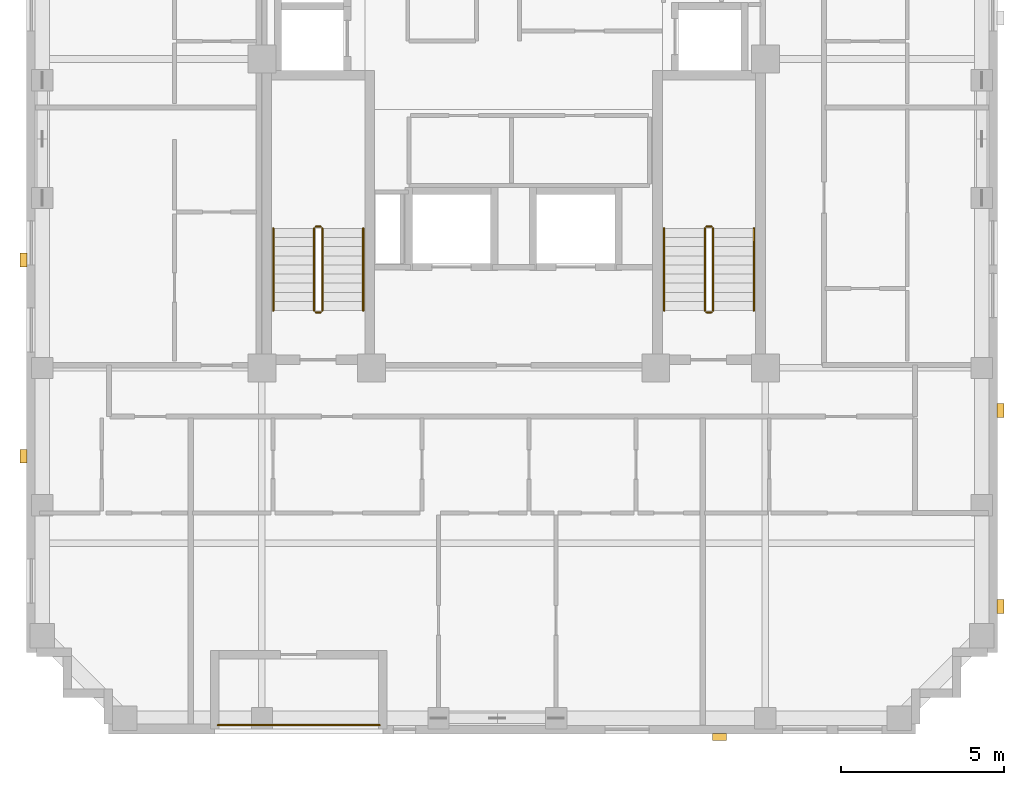
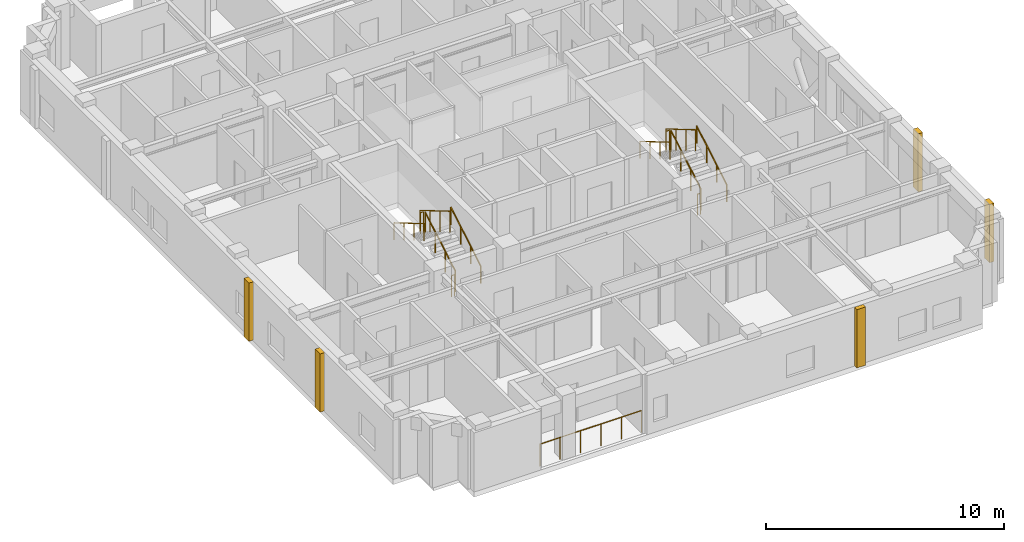
# One storey, part 10 of 11: 13 railings, 5 coverings.
"""IFC4 building model written with IfcOpenShell, lengths in metres."""

from ifc_helpers import new_model, si_unit, derived_unit, direction, frame, origin, origin_2d, place, context, subcontext, project, spatial, rectangle, circle, extrude, material, layer, layer_set, type_object, element, save


model = new_model("IFC4")

# Units and contexts
model_context = context("Model", 3, precision=1e-05, world=origin(), true_north=direction((0.0, 1.0)))
body_context = subcontext(model_context, "Body", "Model", "MODEL_VIEW")
ifc_project = project(units=[si_unit("LENGTHUNIT", "METRE"), si_unit("AREAUNIT", "SQUARE_METRE"), si_unit("VOLUMEUNIT", "CUBIC_METRE"), si_unit("PLANEANGLEUNIT", "RADIAN"), si_unit("MASSUNIT", "GRAM", prefix="KILO"), derived_unit("THERMALTRANSMITTANCEUNIT", [(si_unit("MASSUNIT", "GRAM", prefix="KILO"), 1), (si_unit("TIMEUNIT", "SECOND"), -3), (si_unit("THERMODYNAMICTEMPERATUREUNIT", "KELVIN"), -1)])], contexts=[model_context])

# Site, building, storey
site_placement = place(None, origin())
site = spatial("IfcSite", under=ifc_project, at=site_placement, CompositionType="ELEMENT")
building_placement = place(site_placement, origin())
building = spatial("IfcBuilding", under=site, at=building_placement, Name="Korrvale Station Residences", CompositionType="ELEMENT")
storey_placement = place(building_placement, frame((0.0, 0.0, 190.89990234375)))
storey = spatial("IfcBuildingStorey", under=building, at=storey_placement, Name="L55", CompositionType="ELEMENT", Elevation=190.89990234375)

# Coverings
ifc_material_1 = material(Name="Architectural precast concrete C45/55", Category="concrete")
ifc_layer = layer(ifc_material_1, 0.219970703125, Name="Architectural precast concrete C45/55")
ifc_layer_set = layer_set([ifc_layer], Name="Architectural precast concrete C45/55")
covering_type = type_object("IfcCoveringType", Name="COV-PIER-400", PredefinedType="CLADDING", material=ifc_layer_set)
for number, where, z_axis, x_axis, name in (
    (1, (31.800048828125, 3.7099609375, 0.02490234375), (0.0, 0.0, 1.0), (1.0, 0.0, 0.0), "L55 Architectural Precast Facade Pier 01"),
    (2, (10.510009765625, 12.300048828125, 0.02490234375), (0.0, 0.0, 1.0), (0.0, 1.0, 0.0), "L55 Architectural Precast Facade Pier 02"),
    (3, (10.510009765625, 18.300048828125, 0.02490234375), (0.0, 0.0, 1.0), (0.0, 1.0, 0.0), "L55 Architectural Precast Facade Pier 03"),
    (4, (40.389892578125, 13.699951171875, 0.02490234375), (0.0, 0.0, 1.0), (0.0, 1.0, 0.0), "L55 Architectural Precast Facade Pier 08"),
    (5, (40.389892578125, 7.699951171875, 0.02490234375), (0.0, 0.0, 1.0), (0.0, 1.0, 0.0), "L55 Architectural Precast Facade Pier 09"),
):
    element("IfcCovering", number, at=place(storey_placement, frame(where, z_axis=z_axis, x_axis=x_axis)), inside=storey, type_object=covering_type, Name=name, PredefinedType="CLADDING", context=body_context, shape_type="SweptSolid", body=[
        extrude(rectangle(XDim=0.419921875, YDim=0.219970703125, at=origin_2d()), origin(), (0.0, 0.0, 1.0), 2.989990234375),
    ])

# Railings
ifc_material_2 = material(Name="Powder-coated aluminium picket loggia guard", Category="aluminium")
railing_type_1 = type_object("IfcRailingType", Name="RLG-BAL-1150", PredefinedType="GUARDRAIL", material=ifc_material_2)
railing_1_placement = place(storey_placement, frame((16.449951171875, 4.070068359375, 0.0)))
element("IfcRailing", 6, at=railing_1_placement, inside=storey, type_object=railing_type_1, Name="L55 Recessed Loggia Guardrail BAL-L55-S1", PredefinedType="GUARDRAIL", context=body_context, shape_type="SweptSolid", body=[
    extrude(circle(Radius=0.02392578125, at=origin_2d()), frame((0.0, 0.0, 1.1259765625), z_axis=(1.0, 0.0, 0.0), x_axis=(0.0, 1.0, 0.0)), (0.0, 0.0, 1.0), 4.949951171875),
    extrude(circle(Radius=0.02099609375, at=origin_2d()), origin(), (0.0, 0.0, 1.0), 1.101806640625),
    extrude(circle(Radius=0.02099609375, at=origin_2d()), frame((0.989990234375, 0.0, 0.0)), (0.0, 0.0, 1.0), 1.101806640625),
    extrude(circle(Radius=0.02099609375, at=origin_2d()), frame((1.97998046875, 0.0, 0.0)), (0.0, 0.0, 1.0), 1.101806640625),
    extrude(circle(Radius=0.02099609375, at=origin_2d()), frame((2.969970703125, 0.0, 0.0)), (0.0, 0.0, 1.0), 1.101806640625),
    extrude(circle(Radius=0.02099609375, at=origin_2d()), frame((3.9599609375, 0.0, 0.0)), (0.0, 0.0, 1.0), 1.101806640625),
    extrude(circle(Radius=0.02099609375, at=origin_2d()), frame((4.949951171875, 0.0, 0.0)), (0.0, 0.0, 1.0), 1.101806640625),
])
ifc_material_3 = material(Name="Brushed stainless-steel continuous stair handrail", Category="steel")
railing_type_2 = type_object("IfcRailingType", Name="RLG-SHND-900", PredefinedType="HANDRAIL", material=ifc_material_3)
railing_2_placement = place(storey_placement, frame((20.89990234375, 16.75, 0.1650390625)))
element("IfcRailing", 7, at=railing_2_placement, inside=storey, type_object=railing_type_2, Name="L55 ST-1 stair handrail 1", PredefinedType="HANDRAIL", context=body_context, shape_type="SweptSolid", body=[
    extrude(circle(Radius=0.02392578125, at=origin_2d()), frame((0.0, 0.0, 0.8759765625), z_axis=(0.0, 0.86152411907, 0.507716645641), x_axis=(-1.0, 0.0, 0.0)), (0.0, 0.0, 1.0), 2.925048828125),
    extrude(circle(Radius=0.02099609375, at=origin_2d()), origin(), (0.0, 0.0, 1.0), 0.851806640625),
    extrude(circle(Radius=0.02099609375, at=origin_2d()), frame((0.0, 0.840087890625, 0.4951171875)), (0.0, 0.0, 1.0), 0.851806640625),
    extrude(circle(Radius=0.02099609375, at=origin_2d()), frame((0.0, 1.679931640625, 0.989990234375)), (0.0, 0.0, 1.0), 0.851806640625),
    extrude(circle(Radius=0.02099609375, at=origin_2d()), frame((0.0, 2.52001953125, 1.485107421875)), (0.0, 0.0, 1.0), 0.851806640625),
])
railing_3_placement = place(storey_placement, frame((18.14990234375, 19.27001953125, 1.815185546875)))
element("IfcRailing", 8, at=railing_3_placement, inside=storey, type_object=railing_type_2, Name="L55 ST-1 stair handrail 2", PredefinedType="HANDRAIL", context=body_context, shape_type="SweptSolid", body=[
    extrude(circle(Radius=0.02392578125, at=origin_2d()), frame((0.0, 0.0, 0.8759765625), z_axis=(0.0, -0.861560626758, 0.507654692109), x_axis=(1.0, 0.0, 0.0)), (0.0, 0.0, 1.0), 2.925048828125),
    extrude(circle(Radius=0.02099609375, at=origin_2d()), origin(), (0.0, 0.0, 1.0), 0.851806640625),
    extrude(circle(Radius=0.02099609375, at=origin_2d()), frame((0.0, -0.840087890625, 0.494873046875)), (0.0, 0.0, 1.0), 0.851806640625),
    extrude(circle(Radius=0.02099609375, at=origin_2d()), frame((0.0, -1.679931640625, 0.989990234375)), (0.0, 0.0, 1.0), 0.851806640625),
    extrude(circle(Radius=0.02099609375, at=origin_2d()), frame((0.0, -2.52001953125, 1.48486328125)), (0.0, 0.0, 1.0), 0.851806640625),
])
railing_4_placement = place(storey_placement, frame((32.85009765625, 16.75, 0.1650390625)))
element("IfcRailing", 9, at=railing_4_placement, inside=storey, type_object=railing_type_2, Name="L55 ST-2 stair handrail 1", PredefinedType="HANDRAIL", context=body_context, shape_type="SweptSolid", body=[
    extrude(circle(Radius=0.02392578125, at=origin_2d()), frame((0.0, 0.0, 0.8759765625), z_axis=(0.0, 0.86152411907, 0.507716645641), x_axis=(-1.0, 0.0, 0.0)), (0.0, 0.0, 1.0), 2.925048828125),
    extrude(circle(Radius=0.02099609375, at=origin_2d()), origin(), (0.0, 0.0, 1.0), 0.851806640625),
    extrude(circle(Radius=0.02099609375, at=origin_2d()), frame((0.0, 0.840087890625, 0.4951171875)), (0.0, 0.0, 1.0), 0.851806640625),
    extrude(circle(Radius=0.02099609375, at=origin_2d()), frame((0.0, 1.679931640625, 0.989990234375)), (0.0, 0.0, 1.0), 0.851806640625),
    extrude(circle(Radius=0.02099609375, at=origin_2d()), frame((0.0, 2.52001953125, 1.485107421875)), (0.0, 0.0, 1.0), 0.851806640625),
])
railing_5_placement = place(storey_placement, frame((30.10009765625, 19.27001953125, 1.815185546875)))
element("IfcRailing", 10, at=railing_5_placement, inside=storey, type_object=railing_type_2, Name="L55 ST-2 stair handrail 2", PredefinedType="HANDRAIL", context=body_context, shape_type="SweptSolid", body=[
    extrude(circle(Radius=0.02392578125, at=origin_2d()), frame((0.0, 0.0, 0.8759765625), z_axis=(0.0, -0.861560626758, 0.507654692109), x_axis=(1.0, 0.0, 0.0)), (0.0, 0.0, 1.0), 2.925048828125),
    extrude(circle(Radius=0.02099609375, at=origin_2d()), origin(), (0.0, 0.0, 1.0), 0.851806640625),
    extrude(circle(Radius=0.02099609375, at=origin_2d()), frame((0.0, -0.840087890625, 0.494873046875)), (0.0, 0.0, 1.0), 0.851806640625),
    extrude(circle(Radius=0.02099609375, at=origin_2d()), frame((0.0, -1.679931640625, 0.989990234375)), (0.0, 0.0, 1.0), 0.851806640625),
    extrude(circle(Radius=0.02099609375, at=origin_2d()), frame((0.0, -2.52001953125, 1.48486328125)), (0.0, 0.0, 1.0), 0.851806640625),
])
ifc_material_4 = material(Name="Galvanised painted tubular steel stair guard", Category="steel")
railing_type_3 = type_object("IfcRailingType", Name="RLG-STR-1100", PredefinedType="GUARDRAIL", material=ifc_material_4)
railing_6_placement = place(storey_placement, frame((19.64990234375, 16.75, 0.1650390625)))
element("IfcRailing", 11, at=railing_6_placement, inside=storey, type_object=railing_type_3, Name="L55 ST-1 stair guard 1", PredefinedType="GUARDRAIL", context=body_context, shape_type="SweptSolid", body=[
    extrude(circle(Radius=0.02392578125, at=origin_2d()), frame((0.0, 0.0, 1.076171875), z_axis=(0.0, 0.86152411907, 0.507716645641), x_axis=(-1.0, 0.0, 0.0)), (0.0, 0.0, 1.0), 2.925048828125),
    extrude(circle(Radius=0.02099609375, at=origin_2d()), origin(), (0.0, 0.0, 1.0), 1.052001953125),
    extrude(circle(Radius=0.02099609375, at=origin_2d()), frame((0.0, 0.840087890625, 0.4951171875)), (0.0, 0.0, 1.0), 1.052001953125),
    extrude(circle(Radius=0.02099609375, at=origin_2d()), frame((0.0, 1.679931640625, 0.989990234375)), (0.0, 0.0, 1.0), 1.052001953125),
    extrude(circle(Radius=0.02099609375, at=origin_2d()), frame((0.0, 2.52001953125, 1.485107421875)), (0.0, 0.0, 1.0), 1.052001953125),
])
railing_7_placement = place(storey_placement, frame((19.60009765625, 19.320068359375, 1.650146484375)))
element("IfcRailing", 12, at=railing_7_placement, inside=storey, type_object=railing_type_3, Name="L55 ST-1 stair guard 2", PredefinedType="GUARDRAIL", context=body_context, shape_type="SweptSolid", body=[
    extrude(circle(Radius=0.02392578125, at=origin_2d()), frame((0.0, 0.0, 1.076171875), z_axis=(-1.0, 0.0, 0.0), x_axis=(0.0, -1.0, 0.0)), (0.0, 0.0, 1.0), 0.150146484375),
    extrude(circle(Radius=0.02099609375, at=origin_2d()), origin(), (0.0, 0.0, 1.0), 1.052001953125),
    extrude(circle(Radius=0.02099609375, at=origin_2d()), frame((-0.150146484375, 0.0, 0.0)), (0.0, 0.0, 1.0), 1.052001953125),
])
railing_8_placement = place(storey_placement, frame((19.39990234375, 19.27001953125, 1.815185546875)))
element("IfcRailing", 13, at=railing_8_placement, inside=storey, type_object=railing_type_3, Name="L55 ST-1 stair guard 3", PredefinedType="GUARDRAIL", context=body_context, shape_type="SweptSolid", body=[
    extrude(circle(Radius=0.02392578125, at=origin_2d()), frame((0.0, 0.0, 1.076171875), z_axis=(0.0, -0.861560626758, 0.507654692109), x_axis=(1.0, 0.0, 0.0)), (0.0, 0.0, 1.0), 2.925048828125),
    extrude(circle(Radius=0.02099609375, at=origin_2d()), origin(), (0.0, 0.0, 1.0), 1.052001953125),
    extrude(circle(Radius=0.02099609375, at=origin_2d()), frame((0.0, -0.840087890625, 0.494873046875)), (0.0, 0.0, 1.0), 1.052001953125),
    extrude(circle(Radius=0.02099609375, at=origin_2d()), frame((0.0, -1.679931640625, 0.989990234375)), (0.0, 0.0, 1.0), 1.052001953125),
    extrude(circle(Radius=0.02099609375, at=origin_2d()), frame((0.0, -2.52001953125, 1.48486328125)), (0.0, 0.0, 1.0), 1.052001953125),
])
railing_9_placement = place(storey_placement, frame((19.60009765625, 16.699951171875, 0.0)))
element("IfcRailing", 14, at=railing_9_placement, inside=storey, type_object=railing_type_3, Name="L55 ST-1 stair guard 4", PredefinedType="GUARDRAIL", context=body_context, shape_type="SweptSolid", body=[
    extrude(circle(Radius=0.02392578125, at=origin_2d()), frame((0.0, 0.0, 1.076171875), z_axis=(-1.0, 0.0, 0.0), x_axis=(0.0, -1.0, 0.0)), (0.0, 0.0, 1.0), 0.150146484375),
    extrude(circle(Radius=0.02099609375, at=origin_2d()), origin(), (0.0, 0.0, 1.0), 1.052001953125),
    extrude(circle(Radius=0.02099609375, at=origin_2d()), frame((-0.150146484375, 0.0, 0.0)), (0.0, 0.0, 1.0), 1.052001953125),
])
railing_10_placement = place(storey_placement, frame((31.60009765625, 16.75, 0.1650390625)))
element("IfcRailing", 15, at=railing_10_placement, inside=storey, type_object=railing_type_3, Name="L55 ST-2 stair guard 1", PredefinedType="GUARDRAIL", context=body_context, shape_type="SweptSolid", body=[
    extrude(circle(Radius=0.02392578125, at=origin_2d()), frame((0.0, 0.0, 1.076171875), z_axis=(0.0, 0.86152411907, 0.507716645641), x_axis=(-1.0, 0.0, 0.0)), (0.0, 0.0, 1.0), 2.925048828125),
    extrude(circle(Radius=0.02099609375, at=origin_2d()), origin(), (0.0, 0.0, 1.0), 1.052001953125),
    extrude(circle(Radius=0.02099609375, at=origin_2d()), frame((0.0, 0.840087890625, 0.4951171875)), (0.0, 0.0, 1.0), 1.052001953125),
    extrude(circle(Radius=0.02099609375, at=origin_2d()), frame((0.0, 1.679931640625, 0.989990234375)), (0.0, 0.0, 1.0), 1.052001953125),
    extrude(circle(Radius=0.02099609375, at=origin_2d()), frame((0.0, 2.52001953125, 1.485107421875)), (0.0, 0.0, 1.0), 1.052001953125),
])
railing_11_placement = place(storey_placement, frame((31.550048828125, 19.320068359375, 1.650146484375)))
element("IfcRailing", 16, at=railing_11_placement, inside=storey, type_object=railing_type_3, Name="L55 ST-2 stair guard 2", PredefinedType="GUARDRAIL", context=body_context, shape_type="SweptSolid", body=[
    extrude(circle(Radius=0.02392578125, at=origin_2d()), frame((0.0, 0.0, 1.076171875), z_axis=(-1.0, 0.0, 0.0), x_axis=(0.0, -1.0, 0.0)), (0.0, 0.0, 1.0), 0.150146484375),
    extrude(circle(Radius=0.02099609375, at=origin_2d()), origin(), (0.0, 0.0, 1.0), 1.052001953125),
    extrude(circle(Radius=0.02099609375, at=origin_2d()), frame((-0.150146484375, 0.0, 0.0)), (0.0, 0.0, 1.0), 1.052001953125),
])
railing_12_placement = place(storey_placement, frame((31.35009765625, 19.27001953125, 1.815185546875)))
element("IfcRailing", 17, at=railing_12_placement, inside=storey, type_object=railing_type_3, Name="L55 ST-2 stair guard 3", PredefinedType="GUARDRAIL", context=body_context, shape_type="SweptSolid", body=[
    extrude(circle(Radius=0.02392578125, at=origin_2d()), frame((0.0, 0.0, 1.076171875), z_axis=(0.0, -0.861560626758, 0.507654692109), x_axis=(1.0, 0.0, 0.0)), (0.0, 0.0, 1.0), 2.925048828125),
    extrude(circle(Radius=0.02099609375, at=origin_2d()), origin(), (0.0, 0.0, 1.0), 1.052001953125),
    extrude(circle(Radius=0.02099609375, at=origin_2d()), frame((0.0, -0.840087890625, 0.494873046875)), (0.0, 0.0, 1.0), 1.052001953125),
    extrude(circle(Radius=0.02099609375, at=origin_2d()), frame((0.0, -1.679931640625, 0.989990234375)), (0.0, 0.0, 1.0), 1.052001953125),
    extrude(circle(Radius=0.02099609375, at=origin_2d()), frame((0.0, -2.52001953125, 1.48486328125)), (0.0, 0.0, 1.0), 1.052001953125),
])
railing_13_placement = place(storey_placement, frame((31.550048828125, 16.699951171875, 0.0)))
element("IfcRailing", 18, at=railing_13_placement, inside=storey, type_object=railing_type_3, Name="L55 ST-2 stair guard 4", PredefinedType="GUARDRAIL", context=body_context, shape_type="SweptSolid", body=[
    extrude(circle(Radius=0.02392578125, at=origin_2d()), frame((0.0, 0.0, 1.076171875), z_axis=(-1.0, 0.0, 0.0), x_axis=(0.0, -1.0, 0.0)), (0.0, 0.0, 1.0), 0.150146484375),
    extrude(circle(Radius=0.02099609375, at=origin_2d()), origin(), (0.0, 0.0, 1.0), 1.052001953125),
    extrude(circle(Radius=0.02099609375, at=origin_2d()), frame((-0.150146484375, 0.0, 0.0)), (0.0, 0.0, 1.0), 1.052001953125),
])

save(model, "model.ifc")
